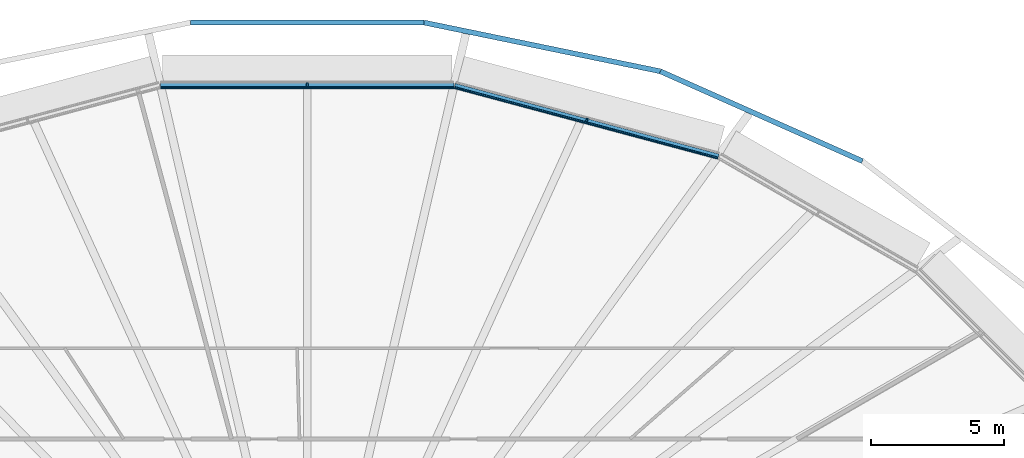
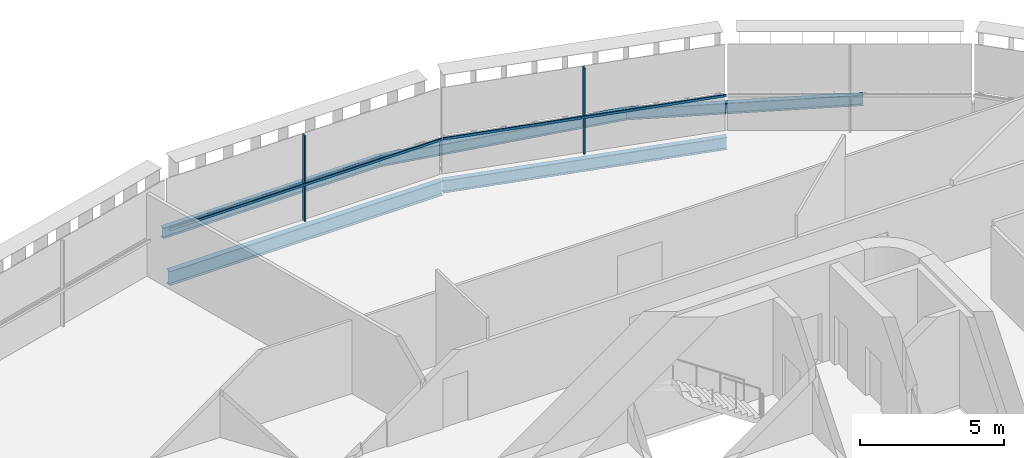
# One storey, part 11 of 25: 5 beams, 4 members, 2 elements without a shape of their own.
"""IFC4 building model written with IfcOpenShell, lengths in metres."""

from ifc_helpers import new_model, si_unit, direction, frame, origin, origin_2d, place, context, subcontext, project, spatial, rectangle, i_section, extrude, material, layer, layer_set, material_profile, profile_set, type_object, element, aggregate, save


model = new_model("IFC4")

# Units and contexts
model_context = context("Model", 3, precision=1e-05, world=origin(), true_north=direction((0.0, 1.0)))
body_context = subcontext(model_context, "Body", "Model", "MODEL_VIEW")
ifc_project = project(units=[si_unit("LENGTHUNIT", "METRE"), si_unit("AREAUNIT", "SQUARE_METRE"), si_unit("VOLUMEUNIT", "CUBIC_METRE"), si_unit("PLANEANGLEUNIT", "RADIAN"), si_unit("MASSUNIT", "GRAM", prefix="KILO")], contexts=[model_context])

# Site, building, storey
site_placement = place(None, origin())
site = spatial("IfcSite", under=ifc_project, at=site_placement, CompositionType="ELEMENT")
building_placement = place(site_placement, origin())
building = spatial("IfcBuilding", under=site, at=building_placement, Name="Sahrelin Media Tower", CompositionType="ELEMENT")
storey_placement = place(building_placement, frame((0.0, 0.0, 106.199951171875)))
storey = spatial("IfcBuildingStorey", under=building, at=storey_placement, Name="L20", CompositionType="ELEMENT", Elevation=106.199951171875)

# Beams
ifc_material_1 = material(Name="Steel S355", Category="steel")
ifc_material_profile_1 = material_profile(ifc_material_1, i_section(OverallWidth=0.208740234375, OverallDepth=0.5283203125, WebThickness=0.009521484375, FlangeThickness=0.01318359375, FilletRadius=0.0126953125, at=origin_2d()), Name="UB 533x210x82")
ifc_profile_set_1 = profile_set([ifc_material_profile_1], Name="Steel S355")
beam_type_1 = type_object("IfcBeamType", Name="Edge beam EB6", PredefinedType="BEAM", material=ifc_profile_set_1)
beam_1_placement = place(storey_placement, frame((5.525146484375, 23.8232421875, -0.4140625), z_axis=(0.965929419345, -0.258805635261, 0.0), x_axis=(0.258805635261, 0.965929419345, 0.0)))
element("IfcBeam", 1, at=beam_1_placement, inside=storey, type_object=beam_type_1, Name="Edge beam L20-20", PredefinedType="BEAM", context=body_context, shape_type="SweptSolid", body=[
    extrude(i_section(OverallWidth=0.208740234375, OverallDepth=0.5283203125, WebThickness=0.009521484375, FlangeThickness=0.01318359375, FilletRadius=0.0126953125, at=origin_2d()), origin(), (0.0, 0.0, 1.0), 10.235107421875),
])
ifc_material_profile_2 = material_profile(ifc_material_1, i_section(OverallWidth=0.2275390625, OverallDepth=0.6025390625, WebThickness=0.010498046875, FlangeThickness=0.014892578125, FilletRadius=0.0126953125, at=origin_2d()), Name="UB 610x229x101")
ifc_profile_set_2 = profile_set([ifc_material_profile_2], Name="Steel S355")
beam_type_2 = type_object("IfcBeamType", Name="Edge beam EB7", PredefinedType="BEAM", material=ifc_profile_set_2)
beam_2_placement = place(storey_placement, frame((-5.49658203125, 23.8271484375, -0.451171875), z_axis=(1.0, 0.0, 0.0), x_axis=(0.0, 1.0, 0.0)))
element("IfcBeam", 2, at=beam_2_placement, inside=storey, type_object=beam_type_2, Name="Edge beam L20-19", PredefinedType="BEAM", context=body_context, shape_type="SweptSolid", body=[
    extrude(i_section(OverallWidth=0.2275390625, OverallDepth=0.6025390625, WebThickness=0.010498046875, FlangeThickness=0.014892578125, FilletRadius=0.0126953125, at=origin_2d()), origin(), (0.0, 0.0, 1.0), 10.9931640625),
])

# Curtain wall, member
ifc_material_2 = material(Name="Champagne anodised aluminium 6063-T6", Category="aluminium")
ifc_layer = layer(ifc_material_2, 0.14990234375)
ifc_layer_set = layer_set([ifc_layer], Name="Tower ribbon curtain wall")
curtain_wall_type = type_object("IfcCurtainWallType", Name="Tower ribbon curtain wall", PredefinedType="NOTDEFINED", material=ifc_layer_set)
curtain_wall_1_placement = place(storey_placement, frame((10.50732421875, 22.643798828125, 0.0), z_axis=(0.0, 0.0, 1.0), x_axis=(1.0, 0.0, 0.0)))
curtain_wall_1 = element("IfcCurtainWall", 3, at=curtain_wall_1_placement, inside=storey, type_object=curtain_wall_type, Name="L20:CW:L20-05", PredefinedType="NOTDEFINED")
ifc_material_profile_3 = material_profile(ifc_material_2, rectangle(XDim=0.06005859375, YDim=0.14990234375, at=origin_2d()), Name="Mullion 60x150")
ifc_profile_set_3 = profile_set([ifc_material_profile_3], Name="Champagne anodised aluminium 6063-T6")
member_type_1 = type_object("IfcMemberType", Name="Mullion 60x150 CW1", PredefinedType="MULLION", material=ifc_profile_set_3)
member_1_placement = place(storey_placement, frame((10.482666015625, 22.552001953125, 0.0), z_axis=(0.0, 0.0, 1.0), x_axis=(-0.965926278012, 0.258817359244, 0.0)))
member_1 = element("IfcMember", 4, at=member_1_placement, type_object=member_type_1, Name="L20:CWM:L20-05", PredefinedType="MULLION", context=body_context, shape_type="SweptSolid", body=[
    extrude(rectangle(XDim=0.06005859375, YDim=0.14990234375, at=origin_2d()), origin(), (0.0, 0.0, 1.0), 3.648681640625),
])

curtain_wall_2_placement = place(storey_placement, frame((0.0, 23.97705078125, 0.0), z_axis=(0.0, 0.0, 1.0), x_axis=(1.0, 0.0, 0.0)))
curtain_wall_2 = element("IfcCurtainWall", 5, at=curtain_wall_2_placement, inside=storey, type_object=curtain_wall_type, Name="L20:CW:L20-06", PredefinedType="NOTDEFINED")
member_2_placement = place(storey_placement, frame((0.0, 23.882080078125, 0.0), z_axis=(0.0, 0.0, 1.0), x_axis=(-1.0, 0.0, 0.0)))
member_2 = element("IfcMember", 6, at=member_2_placement, type_object=member_type_1, Name="L20:CWM:L20-06", PredefinedType="MULLION", context=body_context, shape_type="SweptSolid", body=[
    extrude(rectangle(XDim=0.06005859375, YDim=0.14990234375, at=origin_2d()), origin(), (0.0, 0.0, 1.0), 3.648681640625),
])

# Beams
ifc_material_profile_4 = material_profile(ifc_material_1, i_section(OverallWidth=0.1904296875, OverallDepth=0.45703125, WebThickness=0.009033203125, FlangeThickness=0.014404296875, FilletRadius=0.01025390625, at=origin_2d()), Name="UB 457x191x74")
ifc_profile_set_4 = profile_set([ifc_material_profile_4], Name="Steel S355")
beam_type_3 = type_object("IfcBeamType", Name="Tie chord TC5", PredefinedType="BEAM", material=ifc_profile_set_4)
beam_3_placement = place(storey_placement, frame((20.810546875, 21.0107421875, -0.37841796875), z_axis=(-0.913829764708, 0.406097477378, 0.0), x_axis=(-0.406097477378, -0.913829764708, 0.0)))
element("IfcBeam", 7, at=beam_3_placement, inside=storey, type_object=beam_type_3, Name="Tie chord L20-04", PredefinedType="BEAM", context=body_context, shape_type="SweptSolid", body=[
    extrude(i_section(OverallWidth=0.1904296875, OverallDepth=0.45703125, WebThickness=0.009033203125, FlangeThickness=0.014404296875, FilletRadius=0.01025390625, at=origin_2d()), origin(), (0.0, 0.0, 1.0), 8.289794921875),
])
beam_4_placement = place(storey_placement, frame((13.235107421875, 24.377197265625, -0.37841796875), z_axis=(-0.979386132025, 0.201997040565, 0.0), x_axis=(-0.201997040565, -0.979386132025, 0.0)))
element("IfcBeam", 8, at=beam_4_placement, inside=storey, type_object=beam_type_3, Name="Tie chord L20-05", PredefinedType="BEAM", context=body_context, shape_type="SweptSolid", body=[
    extrude(i_section(OverallWidth=0.1904296875, OverallDepth=0.45703125, WebThickness=0.009033203125, FlangeThickness=0.014404296875, FilletRadius=0.01025390625, at=origin_2d()), origin(), (0.0, 0.0, 1.0), 9.0478515625),
])
beam_5_placement = place(storey_placement, frame((4.373779296875, 26.204833984375, -0.37841796875), z_axis=(-1.0, 0.0, 0.0), x_axis=(0.0, -1.0, 0.0)))
element("IfcBeam", 9, at=beam_5_placement, inside=storey, type_object=beam_type_3, Name="Tie chord L20-06", PredefinedType="BEAM", context=body_context, shape_type="SweptSolid", body=[
    extrude(i_section(OverallWidth=0.1904296875, OverallDepth=0.45703125, WebThickness=0.009033203125, FlangeThickness=0.014404296875, FilletRadius=0.01025390625, at=origin_2d()), origin(), (0.0, 0.0, 1.0), 8.74755859375),
])

# Member
ifc_material_profile_5 = material_profile(ifc_material_2, rectangle(XDim=0.050048828125, YDim=0.10009765625, at=origin_2d()), Name="Transom 50x100")
ifc_profile_set_5 = profile_set([ifc_material_profile_5], Name="Champagne anodised aluminium 6063-T6")
member_type_2 = type_object("IfcMemberType", Name="Transom 50x100 CW1", PredefinedType="USERDEFINED", material=ifc_profile_set_5)
member_3_placement = place(storey_placement, frame((15.384765625, 21.135009765625, 1.60009765625), z_axis=(-0.965926477685, 0.258816614048, 0.0), x_axis=(-0.258816614048, -0.965926477685, 0.0)))
member_3 = element("IfcMember", 10, at=member_3_placement, type_object=member_type_2, Name="L20:CWT:L20-05", ObjectType="TRANSOM", PredefinedType="USERDEFINED", context=body_context, shape_type="SweptSolid", body=[
    extrude(rectangle(XDim=0.050048828125, YDim=0.10009765625, at=origin_2d()), origin(), (0.0, 0.0, 1.0), 10.20361328125),
])

aggregate(curtain_wall_1, [member_1, member_3])

member_4_placement = place(storey_placement, frame((5.48095703125, 23.781982421875, 1.60009765625), z_axis=(-1.0, 0.0, 0.0), x_axis=(0.0, -1.0, 0.0)))
member_4 = element("IfcMember", 11, at=member_4_placement, type_object=member_type_2, Name="L20:CWT:L20-06", ObjectType="TRANSOM", PredefinedType="USERDEFINED", context=body_context, shape_type="SweptSolid", body=[
    extrude(rectangle(XDim=0.050048828125, YDim=0.10009765625, at=origin_2d()), origin(), (0.0, 0.0, 1.0), 10.9619140625),
])

aggregate(curtain_wall_2, [member_2, member_4])

save(model, "model.ifc")
